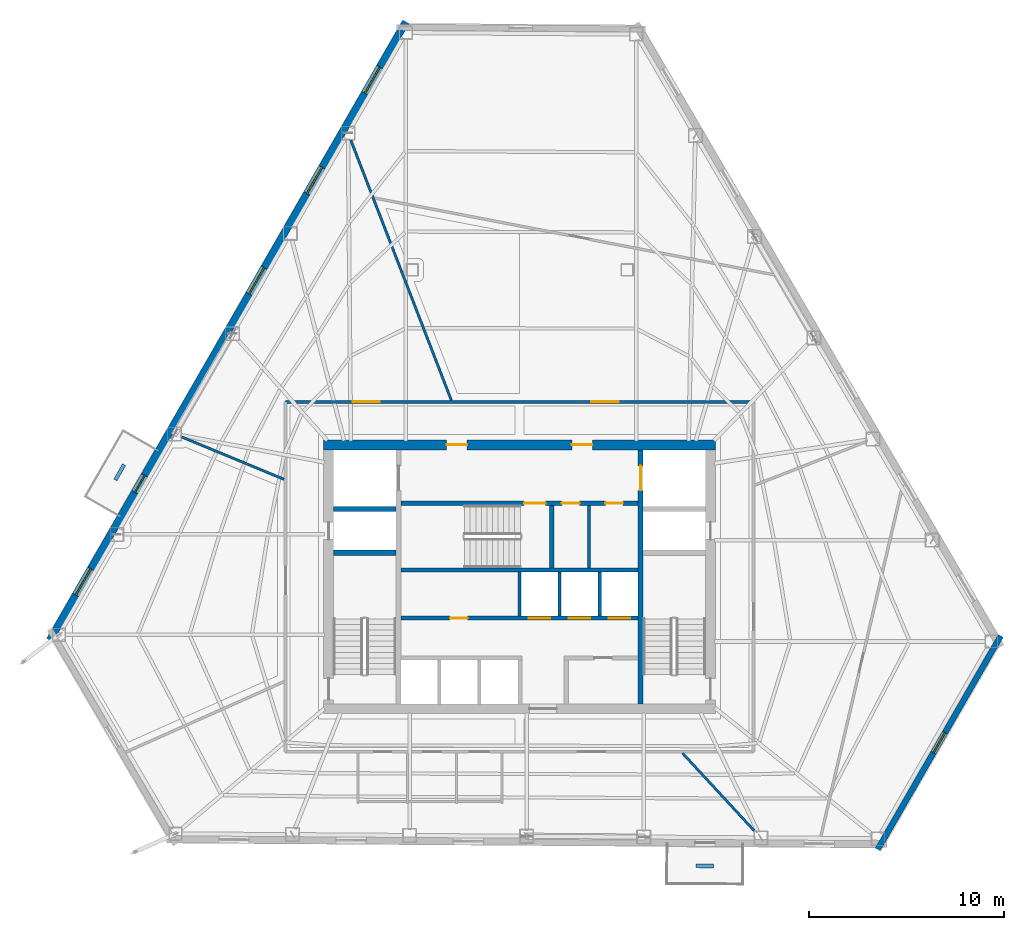
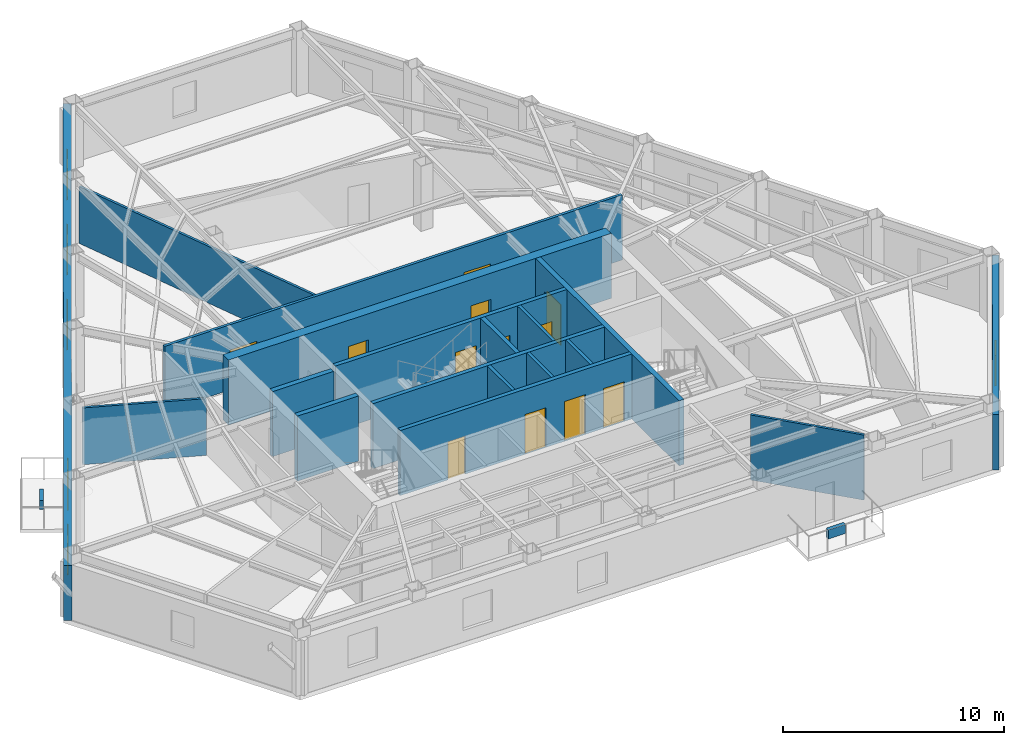
# One storey, part 9 of 12: 20 walls, 13 doors, 5 windows, 18 openings.
"""IFC4 building model written with IfcOpenShell, lengths in metres."""

from ifc_helpers import new_model, si_unit, direction, frame, frame_2d, origin, place, context, subcontext, project, spatial, rectangle, extrude, material, layer, layer_set, type_object, element, fill, save


model = new_model("IFC4")

# Units and contexts
model_context = context("Model", 3, precision=1e-05, world=origin(), true_north=direction((0.0, 1.0)))
body_context = subcontext(model_context, "Body", "Model", "MODEL_VIEW")
ifc_project = project(units=[si_unit("LENGTHUNIT", "METRE"), si_unit("AREAUNIT", "SQUARE_METRE"), si_unit("VOLUMEUNIT", "CUBIC_METRE"), si_unit("PLANEANGLEUNIT", "RADIAN"), si_unit("MASSUNIT", "GRAM", prefix="KILO")], contexts=[model_context])

# Site, building, storey
site_placement = place(None, origin())
site = spatial("IfcSite", under=ifc_project, at=site_placement, CompositionType="ELEMENT")
building_placement = place(site_placement, origin())
building = spatial("IfcBuilding", under=site, at=building_placement, Name="Kavelnor Concourse Tower", CompositionType="ELEMENT")
storey_placement = place(building_placement, frame((0.0, 0.0, 120.14990234375)))
storey = spatial("IfcBuildingStorey", under=building, at=storey_placement, Name="L30", CompositionType="ELEMENT", Elevation=120.14990234375)

# Wall, openings, doors
ifc_material_1 = material(Name="Concrete C60/75", Category="concrete")
ifc_layer_1 = layer(ifc_material_1, 0.5, Name="Concrete C60/75")
ifc_layer_set_1 = layer_set([ifc_layer_1], Name="Concrete C60/75")
wall_type_1 = type_object("IfcWallType", Name="WL-CORE-Z2-500", PredefinedType="SOLIDWALL", material=ifc_layer_set_1)
wall_1_placement = place(storey_placement, frame((27.97998046875, 22.85009765625, 0.0), z_axis=(0.0, 0.0, 1.0), x_axis=(1.0, 0.0, 0.0)))
wall_1 = element("IfcWall", 1, at=wall_1_placement, inside=storey, type_object=wall_type_1, Name="L30 Central Core North Shear Wall", PredefinedType="SOLIDWALL", context=body_context, shape_type="SweptSolid", body=[
    extrude(rectangle(XDim=20.0400390625, YDim=0.5, at=frame_2d((10.02001953125, 0.0))), origin(), (0.0, 0.0, 1.0), 3.60009765625),
])
opening_1_placement = place(wall_1_placement, frame((6.294921875, 0.0, 0.0)))
opening_1 = element("IfcOpeningElement", 2, at=opening_1_placement, cuts=wall_1, Name="Opening FD-105", PredefinedType="OPENING", context=body_context, shape_type="SweptSolid", body=[
    extrude(rectangle(XDim=1.050048828125, YDim=2.14990234375, at=frame_2d((0.52490234375, 1.074951171875))), frame((0.0, 0.260009765625, 0.0), z_axis=(0.0, -1.0, 0.0), x_axis=(1.0, 0.0, 0.0)), (0.0, 0.0, 1.0), 0.52001953125),
])
opening_2_placement = place(wall_1_placement, frame((12.695068359375, 0.0, 0.0)))
opening_2 = element("IfcOpeningElement", 3, at=opening_2_placement, cuts=wall_1, Name="Opening FD-105", PredefinedType="OPENING", context=body_context, shape_type="SweptSolid", body=[
    extrude(rectangle(XDim=1.050048828125, YDim=2.14990234375, at=frame_2d((0.52490234375, 1.074951171875))), frame((0.0, 0.260009765625, 0.0), z_axis=(0.0, -1.0, 0.0), x_axis=(1.0, 0.0, 0.0)), (0.0, 0.0, 1.0), 0.52001953125),
])
ifc_material_2 = material(Name="Steel Grade 350", Category="steel")
door_type_1 = type_object("IfcDoorType", Name="DR-LOBBY-FIRE-1050", OperationType="NOTDEFINED", PredefinedType="DOOR", material=ifc_material_2)
door_1_placement = place(opening_1_placement, origin())
door_1 = element("IfcDoor", 4, at=door_1_placement, inside=storey, type_object=door_type_1, Name="L30 Emergency Lift Lobby West Door", OperationType="SINGLE_SWING_LEFT", OverallHeight=2.14990234375, OverallWidth=1.050048828125, PredefinedType="DOOR", context=body_context, shape_type="SweptSolid", body=[
    extrude(rectangle(XDim=1.050048828125, YDim=2.14990234375, at=frame_2d((0.52490234375, 1.074951171875))), frame((0.0, 0.02490234375, 0.0), z_axis=(0.0, -1.0, 0.0), x_axis=(1.0, 0.0, 0.0)), (0.0, 0.0, 1.0), 0.050048828125),
])
fill(opening_1, door_1)
door_2_placement = place(opening_2_placement, origin())
door_2 = element("IfcDoor", 5, at=door_2_placement, inside=storey, type_object=door_type_1, Name="L30 Emergency Lift Lobby East Door", OperationType="SINGLE_SWING_RIGHT", OverallHeight=2.14990234375, OverallWidth=1.050048828125, PredefinedType="DOOR", context=body_context, shape_type="SweptSolid", body=[
    extrude(rectangle(XDim=1.050048828125, YDim=2.14990234375, at=frame_2d((0.52490234375, 1.074951171875))), frame((0.0, 0.02490234375, 0.0), z_axis=(0.0, -1.0, 0.0), x_axis=(1.0, 0.0, 0.0)), (0.0, 0.0, 1.0), 0.050048828125),
])
fill(opening_2, door_2)

# Wall, opening, window
ifc_material_3 = material(Name="Buff ironspot clay face brick masonry", Category="masonry")
ifc_layer_2 = layer(ifc_material_3, 0.300048828125, Name="Buff ironspot clay face brick masonry")
ifc_layer_set_2 = layer_set([ifc_layer_2], Name="Buff ironspot clay face brick masonry")
wall_type_2 = type_object("IfcWallType", Name="WL-EXT-BUFF-BRICK-FOLD-300", PredefinedType="STANDARD", material=ifc_layer_set_2)
wall_2_placement = place(storey_placement, frame((62.62109375, 13.075439453125, 0.0), z_axis=(0.0, 0.0, 1.0), x_axis=(-0.499135001454, -0.866524235278, 0.0)))
wall_2 = element("IfcWall", 6, at=wall_2_placement, inside=storey, type_object=wall_type_2, Name="L30 Exterior Brick Facade Wall E4", PredefinedType="STANDARD", context=body_context, shape_type="SweptSolid", body=[
    extrude(rectangle(XDim=12.606689453125, YDim=0.300048828125, at=frame_2d((6.30322265625, 0.0))), origin(), (0.0, 0.0, 1.0), 3.05908203125),
])
opening_3_placement = place(wall_2_placement, frame((5.70361328125, 0.0, 0.64990234375)))
opening_3 = element("IfcOpeningElement", 7, at=opening_3_placement, cuts=wall_2, Name="Opening W-05", PredefinedType="OPENING", context=body_context, shape_type="SweptSolid", body=[
    extrude(rectangle(XDim=1.199951171875, YDim=1.699951171875, at=frame_2d((0.60009765625, 0.85009765625))), frame((0.0, 0.16015625, 0.0), z_axis=(0.0, -1.0, 0.0), x_axis=(1.0, 0.0, 0.0)), (0.0, 0.0, 1.0), 0.320068359375),
])
ifc_material_4 = material(Name="Double low-E argon insulated glazing", Category="glass")
window_type_1 = type_object("IfcWindowType", Name="WIN-FOLD-1200", PartitioningType="SINGLE_PANEL", PredefinedType="WINDOW", material=ifc_material_4)
window_1_placement = place(opening_3_placement, origin())
window_1 = element("IfcWindow", 8, at=window_1_placement, inside=storey, type_object=window_type_1, Name="L30 Chamfer-Fold Facet Window C2", OverallHeight=1.699951171875, OverallWidth=1.199951171875, PartitioningType="SINGLE_PANEL", PredefinedType="WINDOW", context=body_context, shape_type="SweptSolid", body=[
    extrude(rectangle(XDim=1.199951171875, YDim=1.699951171875, at=frame_2d((0.60009765625, 0.85009765625))), frame((0.0, 0.030029296875, 0.0), z_axis=(0.0, -1.0, 0.0), x_axis=(1.0, 0.0, 0.0)), (0.0, 0.0, 1.0), 0.06005859375),
])
fill(opening_3, window_1)

# Wall, openings, door, windows
ifc_material_5 = material(Name="Red-ochre clay face brick masonry", Category="masonry")
ifc_layer_3 = layer(ifc_material_5, 0.3798828125, Name="Red-ochre clay face brick masonry")
ifc_layer_set_3 = layer_set([ifc_layer_3], Name="Red-ochre clay face brick masonry")
wall_type_3 = type_object("IfcWallType", Name="WL-EXT-RED-BRICK-PIER-380", PredefinedType="STANDARD", material=ifc_layer_set_3)
wall_3_placement = place(storey_placement, frame((13.965576171875, 12.85791015625, 0.0), z_axis=(0.0, 0.0, 1.0), x_axis=(0.499138995893, 0.86652193439, 0.0)))
wall_3 = element("IfcWall", 9, at=wall_3_placement, inside=storey, type_object=wall_type_3, Name="L30 Exterior Brick Facade Wall E1", PredefinedType="STANDARD", context=body_context, shape_type="SweptSolid", body=[
    extrude(rectangle(XDim=36.50927734375, YDim=0.3798828125, at=frame_2d((18.254638671875, 0.0))), origin(), (0.0, 0.0, 1.0), 3.05908203125),
])
opening_4_placement = place(wall_3_placement, frame((8.727294921875, 0.0, 0.0)))
opening_4 = element("IfcOpeningElement", 10, at=opening_4_placement, cuts=wall_3, Name="Opening BD-100", PredefinedType="OPENING", context=body_context, shape_type="SweptSolid", body=[
    extrude(rectangle(XDim=1.0, YDim=2.199951171875, at=frame_2d((0.5, 1.10009765625))), frame((0.0, 0.199951171875, 0.0), z_axis=(0.0, -1.0, 0.0), x_axis=(1.0, 0.0, 0.0)), (0.0, 0.0, 1.0), 0.39990234375),
])
opening_5_placement = place(wall_3_placement, frame((32.2919921875, 0.0, 0.64990234375)))
opening_5 = element("IfcOpeningElement", 11, at=opening_5_placement, cuts=wall_3, Name="Opening W-02", PredefinedType="OPENING", context=body_context, shape_type="SweptSolid", body=[
    extrude(rectangle(XDim=1.550048828125, YDim=1.75, at=frame_2d((0.77490234375, 0.875))), frame((0.0, 0.199951171875, 0.0), z_axis=(0.0, -1.0, 0.0), x_axis=(1.0, 0.0, 0.0)), (0.0, 0.0, 1.0), 0.39990234375),
])
opening_6_placement = place(wall_3_placement, frame((26.36669921875, 0.0, 0.64990234375)))
opening_6 = element("IfcOpeningElement", 12, at=opening_6_placement, cuts=wall_3, Name="Opening W-02", PredefinedType="OPENING", context=body_context, shape_type="SweptSolid", body=[
    extrude(rectangle(XDim=1.550048828125, YDim=1.75, at=frame_2d((0.77490234375, 0.875))), frame((0.0, 0.199951171875, 0.0), z_axis=(0.0, -1.0, 0.0), x_axis=(1.0, 0.0, 0.0)), (0.0, 0.0, 1.0), 0.39990234375),
])
opening_7_placement = place(wall_3_placement, frame((20.441650390625, 0.0, 0.64990234375)))
opening_7 = element("IfcOpeningElement", 13, at=opening_7_placement, cuts=wall_3, Name="Opening W-02", PredefinedType="OPENING", context=body_context, shape_type="SweptSolid", body=[
    extrude(rectangle(XDim=1.550048828125, YDim=1.75, at=frame_2d((0.77490234375, 0.875))), frame((0.0, 0.199951171875, 0.0), z_axis=(0.0, -1.0, 0.0), x_axis=(1.0, 0.0, 0.0)), (0.0, 0.0, 1.0), 0.39990234375),
])
opening_8_placement = place(wall_3_placement, frame((2.666259765625, 0.0, 0.64990234375)))
opening_8 = element("IfcOpeningElement", 14, at=opening_8_placement, cuts=wall_3, Name="Opening W-02", PredefinedType="OPENING", context=body_context, shape_type="SweptSolid", body=[
    extrude(rectangle(XDim=1.550048828125, YDim=1.75, at=frame_2d((0.77490234375, 0.875))), frame((0.0, 0.199951171875, 0.0), z_axis=(0.0, -1.0, 0.0), x_axis=(1.0, 0.0, 0.0)), (0.0, 0.0, 1.0), 0.39990234375),
])
ifc_material_6 = material(Name="Anodised aluminium 6063-T6", Category="aluminium")
door_type_2 = type_object("IfcDoorType", Name="DR-BALCONY-EXT-1000", OperationType="NOTDEFINED", PredefinedType="DOOR", material=ifc_material_6)
door_3_placement = place(opening_4_placement, origin())
door_3 = element("IfcDoor", 15, at=door_3_placement, inside=storey, type_object=door_type_2, Name="L30 Tree Balcony 1 Glazed Door", OperationType="SINGLE_SWING_LEFT", OverallHeight=2.199951171875, OverallWidth=1.0, PredefinedType="DOOR", context=body_context, shape_type="SweptSolid", body=[
    extrude(rectangle(XDim=1.0, YDim=2.199951171875, at=frame_2d((0.5, 1.10009765625))), frame((0.0, 0.02490234375, 0.0), z_axis=(0.0, -1.0, 0.0), x_axis=(1.0, 0.0, 0.0)), (0.0, 0.0, 1.0), 0.050048828125),
])
fill(opening_4, door_3)
window_type_2 = type_object("IfcWindowType", Name="WIN-PIER-Z2-1650", PartitioningType="SINGLE_PANEL", PredefinedType="WINDOW", material=ifc_material_4)
window_2_placement = place(opening_5_placement, origin())
window_2 = element("IfcWindow", 16, at=window_2_placement, inside=storey, type_object=window_type_2, Name="L30 Deep-Set Brick Pier Window F0-B0", OverallHeight=1.75, OverallWidth=1.550048828125, PartitioningType="SINGLE_PANEL", PredefinedType="WINDOW", context=body_context, shape_type="SweptSolid", body=[
    extrude(rectangle(XDim=1.550048828125, YDim=1.75, at=frame_2d((0.77490234375, 0.875))), frame((0.0, 0.030029296875, 0.0), z_axis=(0.0, -1.0, 0.0), x_axis=(1.0, 0.0, 0.0)), (0.0, 0.0, 1.0), 0.06005859375),
])
fill(opening_5, window_2)
window_3_placement = place(opening_6_placement, origin())
window_3 = element("IfcWindow", 17, at=window_3_placement, inside=storey, type_object=window_type_2, Name="L30 Deep-Set Brick Pier Window F0-B1", OverallHeight=1.75, OverallWidth=1.550048828125, PartitioningType="SINGLE_PANEL", PredefinedType="WINDOW", context=body_context, shape_type="SweptSolid", body=[
    extrude(rectangle(XDim=1.550048828125, YDim=1.75, at=frame_2d((0.77490234375, 0.875))), frame((0.0, 0.030029296875, 0.0), z_axis=(0.0, -1.0, 0.0), x_axis=(1.0, 0.0, 0.0)), (0.0, 0.0, 1.0), 0.06005859375),
])
fill(opening_6, window_3)
window_4_placement = place(opening_7_placement, origin())
window_4 = element("IfcWindow", 18, at=window_4_placement, inside=storey, type_object=window_type_2, Name="L30 Deep-Set Brick Pier Window F0-B2", OverallHeight=1.75, OverallWidth=1.550048828125, PartitioningType="SINGLE_PANEL", PredefinedType="WINDOW", context=body_context, shape_type="SweptSolid", body=[
    extrude(rectangle(XDim=1.550048828125, YDim=1.75, at=frame_2d((0.77490234375, 0.875))), frame((0.0, 0.030029296875, 0.0), z_axis=(0.0, -1.0, 0.0), x_axis=(1.0, 0.0, 0.0)), (0.0, 0.0, 1.0), 0.06005859375),
])
fill(opening_7, window_4)
window_5_placement = place(opening_8_placement, origin())
window_5 = element("IfcWindow", 19, at=window_5_placement, inside=storey, type_object=window_type_2, Name="L30 Deep-Set Brick Pier Window F0-B5", OverallHeight=1.75, OverallWidth=1.550048828125, PartitioningType="SINGLE_PANEL", PredefinedType="WINDOW", context=body_context, shape_type="SweptSolid", body=[
    extrude(rectangle(XDim=1.550048828125, YDim=1.75, at=frame_2d((0.77490234375, 0.875))), frame((0.0, 0.030029296875, 0.0), z_axis=(0.0, -1.0, 0.0), x_axis=(1.0, 0.0, 0.0)), (0.0, 0.0, 1.0), 0.06005859375),
])
fill(opening_8, window_5)

# Wall, openings, doors
ifc_material_7 = material(Name="Gypsum plasterboard on light-gauge steel studs", Category="steel")
ifc_layer_4 = layer(ifc_material_7, 0.14501953125, Name="Gypsum plasterboard on light-gauge steel studs")
ifc_layer_set_4 = layer_set([ifc_layer_4], Name="Gypsum plasterboard on light-gauge steel studs")
wall_type_4 = type_object("IfcWallType", Name="WL-INT-CORR-145", PredefinedType="PARTITIONING", material=ifc_layer_set_4)
wall_4_placement = place(storey_placement, frame((49.969970703125, 25.050048828125, 0.0), z_axis=(0.0, 0.0, 1.0), x_axis=(-1.0, 0.0, 0.0)))
wall_4 = element("IfcWall", 20, at=wall_4_placement, inside=storey, type_object=wall_type_4, Name="L30 Corridor Wall WL-L30-CR-02", PredefinedType="PARTITIONING", context=body_context, shape_type="SweptSolid", body=[
    extrude(rectangle(XDim=23.93994140625, YDim=0.14501953125, at=frame_2d((11.969970703125, 0.0))), origin(), (0.0, 0.0, 1.0), 3.60009765625),
])
opening_9_placement = place(wall_4_placement, frame((6.893310546875, 0.0, 0.0)))
opening_9 = element("IfcOpeningElement", 21, at=opening_9_placement, cuts=wall_4, Name="Opening SD-140", PredefinedType="OPENING", context=body_context, shape_type="SweptSolid", body=[
    extrude(rectangle(XDim=1.39990234375, YDim=2.199951171875, at=frame_2d((0.699951171875, 1.10009765625))), frame((0.0, 0.08251953125, 0.0), z_axis=(0.0, -1.0, 0.0), x_axis=(1.0, 0.0, 0.0)), (0.0, 0.0, 1.0), 0.1650390625),
])
opening_10_placement = place(wall_4_placement, frame((19.114013671875, 0.0, 0.0)))
opening_10 = element("IfcOpeningElement", 22, at=opening_10_placement, cuts=wall_4, Name="Opening SD-140", PredefinedType="OPENING", context=body_context, shape_type="SweptSolid", body=[
    extrude(rectangle(XDim=1.39990234375, YDim=2.199951171875, at=frame_2d((0.699951171875, 1.10009765625))), frame((0.0, 0.08251953125, 0.0), z_axis=(0.0, -1.0, 0.0), x_axis=(1.0, 0.0, 0.0)), (0.0, 0.0, 1.0), 0.1650390625),
])
ifc_material_8 = material(Name="Solid-core hardwood timber", Category="wood")
door_type_3 = type_object("IfcDoorType", Name="DR-SUITE-ENTRY-1400", OperationType="NOTDEFINED", PredefinedType="DOOR", material=ifc_material_8)
door_4_placement = place(opening_9_placement, origin())
door_4 = element("IfcDoor", 23, at=door_4_placement, inside=storey, type_object=door_type_3, Name="L30 Staff Breakout Pantry 01 Door", OperationType="SINGLE_SWING_RIGHT", OverallHeight=2.199951171875, OverallWidth=1.39990234375, PredefinedType="DOOR", context=body_context, shape_type="SweptSolid", body=[
    extrude(rectangle(XDim=1.39990234375, YDim=2.199951171875, at=frame_2d((0.699951171875, 1.10009765625))), frame((0.0, 0.02490234375, 0.0), z_axis=(0.0, -1.0, 0.0), x_axis=(1.0, 0.0, 0.0)), (0.0, 0.0, 1.0), 0.050048828125),
])
fill(opening_9, door_4)
door_5_placement = place(opening_10_placement, origin())
door_5 = element("IfcDoor", 24, at=door_5_placement, inside=storey, type_object=door_type_3, Name="L30 Technical Reference Library 03 Door", OperationType="SINGLE_SWING_RIGHT", OverallHeight=2.199951171875, OverallWidth=1.39990234375, PredefinedType="DOOR", context=body_context, shape_type="SweptSolid", body=[
    extrude(rectangle(XDim=1.39990234375, YDim=2.199951171875, at=frame_2d((0.699951171875, 1.10009765625))), frame((0.0, 0.02490234375, 0.0), z_axis=(0.0, -1.0, 0.0), x_axis=(1.0, 0.0, 0.0)), (0.0, 0.0, 1.0), 0.050048828125),
])
fill(opening_10, door_5)

# Walls
ifc_layer_5 = layer(ifc_material_7, 0.1650390625, Name="Gypsum plasterboard on light-gauge steel studs")
ifc_layer_set_5 = layer_set([ifc_layer_5], Name="Gypsum plasterboard on light-gauge steel studs")
wall_type_5 = type_object("IfcWallType", Name="WL-INT-FIRE-165", PredefinedType="PARTITIONING", material=ifc_layer_set_5)
for number, where, z_axis, x_axis, name in (
    (25, (38.0, 14.10009765625, 0.0), (0.0, 0.0, 1.0), (0.0, 1.0, 0.0), "L30 Reclaimed Core Zone Partition"),
    (26, (40.050048828125, 14.10009765625, 0.0), (0.0, 0.0, 1.0), (0.0, 1.0, 0.0), "L30 Lift Shaft Divider LP4"),
    (27, (42.10009765625, 14.10009765625, 0.0), (0.0, 0.0, 1.0), (0.0, 1.0, 0.0), "L30 Lift Shaft Divider LP5"),
):
    element("IfcWall", number, at=place(storey_placement, frame(where, z_axis=z_axis, x_axis=x_axis)), inside=storey, type_object=wall_type_5, Name=name, PredefinedType="PARTITIONING", context=body_context, shape_type="SweptSolid", body=[
        extrude(rectangle(XDim=2.239990234375, YDim=0.1650390625, at=frame_2d((1.1201171875, 0.0))), origin(), (0.0, 0.0, 1.0), 3.60009765625),
    ])
wall_5_placement = place(storey_placement, frame((41.550048828125, 16.56005859375, 0.0), z_axis=(0.0, 0.0, 1.0), x_axis=(0.0, 1.0, 0.0)))
element("IfcWall", 28, at=wall_5_placement, inside=storey, type_object=wall_type_5, Name="L30 Core North Support Divider", PredefinedType="PARTITIONING", context=body_context, shape_type="SweptSolid", body=[
    extrude(rectangle(XDim=3.199951171875, YDim=0.1650390625, at=frame_2d((1.60009765625, 0.0))), origin(), (0.0, 0.0, 1.0), 3.60009765625),
])
ifc_layer_6 = layer(ifc_material_7, 0.125, Name="Gypsum plasterboard on light-gauge steel studs")
ifc_layer_set_6 = layer_set([ifc_layer_6], Name="Gypsum plasterboard on light-gauge steel studs")
wall_type_6 = type_object("IfcWallType", Name="WL-INT-SUITE-125", PredefinedType="PARTITIONING", material=ifc_layer_set_6)
wall_6_placement = place(storey_placement, frame((34.510986328125, 25.130615234375, 0.0), z_axis=(0.0, 0.0, 1.0), x_axis=(-0.360420932728, 0.932789767982, 0.0)))
element("IfcWall", 29, at=wall_6_placement, inside=storey, type_object=wall_type_6, Name="L30 Radial Suite Partition 02", PredefinedType="PARTITIONING", context=body_context, shape_type="SweptSolid", body=[
    extrude(rectangle(XDim=14.26953125, YDim=0.125, at=frame_2d((7.134765625, 0.0))), origin(), (0.0, 0.0, 1.0), 3.14111328125),
])
wall_7_placement = place(storey_placement, frame((25.949462890625, 21.08935546875, 0.0), z_axis=(0.0, 0.0, 1.0), x_axis=(-0.923924819646, 0.382574081246, 0.0)))
element("IfcWall", 30, at=wall_7_placement, inside=storey, type_object=wall_type_6, Name="L30 Radial Suite Partition 03", PredefinedType="PARTITIONING", context=body_context, shape_type="SweptSolid", body=[
    extrude(rectangle(XDim=5.658447265625, YDim=0.125, at=frame_2d((2.8291015625, 0.0))), origin(), (0.0, 0.0, 1.0), 3.14111328125),
])
wall_8_placement = place(storey_placement, frame((46.3466796875, 7.069580078125, 0.0), z_axis=(0.0, 0.0, 1.0), x_axis=(0.678748401089, -0.734370892683, 0.0)))
element("IfcWall", 31, at=wall_8_placement, inside=storey, type_object=wall_type_6, Name="L30 Radial Suite Partition 05", PredefinedType="PARTITIONING", context=body_context, shape_type="SweptSolid", body=[
    extrude(rectangle(XDim=5.389892578125, YDim=0.125, at=frame_2d((2.69482421875, 0.0))), origin(), (0.0, 0.0, 1.0), 3.60009765625),
])
ifc_material_9 = material(Name="Architectural precast planter concrete C40/50", Category="concrete")
ifc_layer_7 = layer(ifc_material_9, 0.18994140625, Name="Architectural precast planter concrete C40/50")
ifc_layer_set_7 = layer_set([ifc_layer_7], Name="Architectural precast planter concrete C40/50")
wall_type_7 = type_object("IfcWallType", Name="WL-PLANTER-KERB-190", PredefinedType="USERDEFINED", material=ifc_layer_set_7)
wall_9_placement = place(storey_placement, frame((17.76904296875, 21.8349609375, 0.0), z_axis=(0.0, 0.0, 1.0), x_axis=(-0.499174352876, -0.866501566895, 0.0)))
element("IfcWall", 32, at=wall_9_placement, inside=storey, type_object=wall_type_7, Name="L30 Tree Balcony 1 Tree Planter Kerb", ObjectType="PLANTER", PredefinedType="USERDEFINED", context=body_context, shape_type="SweptSolid", body=[
    extrude(rectangle(XDim=0.89990234375, YDim=0.18994140625, at=frame_2d((0.449951171875, 0.0))), origin(), (0.0, 0.0, 1.0), 0.5),
])
wall_10_placement = place(storey_placement, frame((47.031982421875, 1.311279296875, 0.0), z_axis=(0.0, 0.0, 1.0), x_axis=(0.99997513696, -0.007051628305, 0.0)))
element("IfcWall", 33, at=wall_10_placement, inside=storey, type_object=wall_type_7, Name="L30 Tree Balcony 2 Tree Planter Kerb", ObjectType="PLANTER", PredefinedType="USERDEFINED", context=body_context, shape_type="SweptSolid", body=[
    extrude(rectangle(XDim=0.900146484375, YDim=0.18994140625, at=frame_2d((0.4501953125, 0.0))), origin(), (0.0, 0.0, 1.0), 0.5),
])

# Wall, openings, doors
ifc_material_10 = material(Name="Concrete C50/60", Category="concrete")
ifc_layer_8 = layer(ifc_material_10, 0.219970703125, Name="Concrete C50/60")
ifc_layer_set_8 = layer_set([ifc_layer_8], Name="Concrete C50/60")
wall_type_8 = type_object("IfcWallType", Name="WL-SHAFT-220", PredefinedType="SOLIDWALL", material=ifc_layer_set_8)
wall_11_placement = place(storey_placement, frame((31.93994140625, 19.8701171875, 0.0), z_axis=(0.0, 0.0, 1.0), x_axis=(1.0, 0.0, 0.0)))
wall_11 = element("IfcWall", 34, at=wall_11_placement, inside=storey, type_object=wall_type_8, Name="L30 Emergency Lift Lobby South Wall", PredefinedType="SOLIDWALL", context=body_context, shape_type="SweptSolid", body=[
    extrude(rectangle(XDim=12.1201171875, YDim=0.219970703125, at=frame_2d((6.06005859375, 0.0))), origin(), (0.0, 0.0, 1.0), 3.60009765625),
])
opening_11_placement = place(wall_11_placement, frame((6.300048828125, 0.0, 0.0)))
opening_11 = element("IfcOpeningElement", 35, at=opening_11_placement, cuts=wall_11, Name="Opening FD-110", PredefinedType="OPENING", context=body_context, shape_type="SweptSolid", body=[
    extrude(rectangle(XDim=1.10009765625, YDim=2.14990234375, at=frame_2d((0.550048828125, 1.074951171875))), frame((0.0, 0.1201171875, 0.0), z_axis=(0.0, -1.0, 0.0), x_axis=(1.0, 0.0, 0.0)), (0.0, 0.0, 1.0), 0.239990234375),
])
opening_12_placement = place(wall_11_placement, frame((8.22998046875, 0.0, 0.0)))
opening_12 = element("IfcOpeningElement", 36, at=opening_12_placement, cuts=wall_11, Name="Opening FD-090", PredefinedType="OPENING", context=body_context, shape_type="SweptSolid", body=[
    extrude(rectangle(XDim=0.89990234375, YDim=2.10009765625, at=frame_2d((0.449951171875, 1.050048828125))), frame((0.0, 0.1201171875, 0.0), z_axis=(0.0, -1.0, 0.0), x_axis=(1.0, 0.0, 0.0)), (0.0, 0.0, 1.0), 0.239990234375),
])
opening_13_placement = place(wall_11_placement, frame((10.449951171875, 0.0, 0.0)))
opening_13 = element("IfcOpeningElement", 37, at=opening_13_placement, cuts=wall_11, Name="Opening FD-090", PredefinedType="OPENING", context=body_context, shape_type="SweptSolid", body=[
    extrude(rectangle(XDim=0.89990234375, YDim=2.10009765625, at=frame_2d((0.449951171875, 1.050048828125))), frame((0.0, 0.1201171875, 0.0), z_axis=(0.0, -1.0, 0.0), x_axis=(1.0, 0.0, 0.0)), (0.0, 0.0, 1.0), 0.239990234375),
])
door_type_4 = type_object("IfcDoorType", Name="DR-RISER-FIRE-900", OperationType="NOTDEFINED", PredefinedType="DOOR", material=ifc_material_2)
door_6_placement = place(opening_12_placement, origin())
door_6 = element("IfcDoor", 38, at=door_6_placement, inside=storey, type_object=door_type_4, Name="L30 Telecom Room Door", OperationType="SINGLE_SWING_LEFT", OverallHeight=2.10009765625, OverallWidth=0.89990234375, PredefinedType="DOOR", context=body_context, shape_type="SweptSolid", body=[
    extrude(rectangle(XDim=0.89990234375, YDim=2.10009765625, at=frame_2d((0.449951171875, 1.050048828125))), frame((0.0, 0.02490234375, 0.0), z_axis=(0.0, -1.0, 0.0), x_axis=(1.0, 0.0, 0.0)), (0.0, 0.0, 1.0), 0.050048828125),
])
fill(opening_12, door_6)
door_7_placement = place(opening_13_placement, origin())
door_7 = element("IfcDoor", 39, at=door_7_placement, inside=storey, type_object=door_type_4, Name="L30 Janitor Store Door", OperationType="SINGLE_SWING_RIGHT", OverallHeight=2.10009765625, OverallWidth=0.89990234375, PredefinedType="DOOR", context=body_context, shape_type="SweptSolid", body=[
    extrude(rectangle(XDim=0.89990234375, YDim=2.10009765625, at=frame_2d((0.449951171875, 1.050048828125))), frame((0.0, 0.02490234375, 0.0), z_axis=(0.0, -1.0, 0.0), x_axis=(1.0, 0.0, 0.0)), (0.0, 0.0, 1.0), 0.050048828125),
])
fill(opening_13, door_7)
door_type_5 = type_object("IfcDoorType", Name="DR-STAIR-FIRE-1100", OperationType="NOTDEFINED", PredefinedType="DOOR", material=ifc_material_2)
door_8_placement = place(opening_11_placement, origin())
door_8 = element("IfcDoor", 40, at=door_8_placement, inside=storey, type_object=door_type_5, Name="L30 Stair ST3 Fire Door", OperationType="SINGLE_SWING_LEFT", OverallHeight=2.14990234375, OverallWidth=1.10009765625, PredefinedType="DOOR", context=body_context, shape_type="SweptSolid", body=[
    extrude(rectangle(XDim=1.10009765625, YDim=2.14990234375, at=frame_2d((0.550048828125, 1.074951171875))), frame((0.0, 0.02490234375, 0.0), z_axis=(0.0, -1.0, 0.0), x_axis=(1.0, 0.0, 0.0)), (0.0, 0.0, 1.0), 0.050048828125),
])
fill(opening_11, door_8)

# Walls
wall_12_placement = place(storey_placement, frame((31.93994140625, 16.449951171875, 0.0), z_axis=(0.0, 0.0, 1.0), x_axis=(1.0, 0.0, 0.0)))
element("IfcWall", 41, at=wall_12_placement, inside=storey, type_object=wall_type_8, Name="L30 Stair ST3 South Core Wall", PredefinedType="SOLIDWALL", context=body_context, shape_type="SweptSolid", body=[
    extrude(rectangle(XDim=12.1201171875, YDim=0.219970703125, at=frame_2d((6.06005859375, 0.0))), origin(), (0.0, 0.0, 1.0), 3.60009765625),
])
wall_13_placement = place(storey_placement, frame((39.64990234375, 16.56005859375, 0.0), z_axis=(0.0, 0.0, 1.0), x_axis=(0.0, 1.0, 0.0)))
element("IfcWall", 42, at=wall_13_placement, inside=storey, type_object=wall_type_8, Name="L30 Stair ST3 East Core Wall", PredefinedType="SOLIDWALL", context=body_context, shape_type="SweptSolid", body=[
    extrude(rectangle(XDim=3.199951171875, YDim=0.219970703125, at=frame_2d((1.60009765625, 0.0))), origin(), (0.0, 0.0, 1.0), 3.60009765625),
])

# Wall, openings, doors
wall_14_placement = place(storey_placement, frame((31.93994140625, 13.989990234375, 0.0), z_axis=(0.0, 0.0, 1.0), x_axis=(1.0, 0.0, 0.0)))
wall_14 = element("IfcWall", 43, at=wall_14_placement, inside=storey, type_object=wall_type_8, Name="L30 North Lift Row Shaft Wall", PredefinedType="SOLIDWALL", context=body_context, shape_type="SweptSolid", body=[
    extrude(rectangle(XDim=12.1201171875, YDim=0.219970703125, at=frame_2d((6.06005859375, 0.0))), origin(), (0.0, 0.0, 1.0), 3.60009765625),
])
opening_14_placement = place(wall_14_placement, frame((2.510009765625, 0.0, 0.0)))
opening_14 = element("IfcOpeningElement", 44, at=opening_14_placement, cuts=wall_14, Name="Opening FD-090", PredefinedType="OPENING", context=body_context, shape_type="SweptSolid", body=[
    extrude(rectangle(XDim=0.89990234375, YDim=2.10009765625, at=frame_2d((0.449951171875, 1.050048828125))), frame((0.0, 0.1201171875, 0.0), z_axis=(0.0, -1.0, 0.0), x_axis=(1.0, 0.0, 0.0)), (0.0, 0.0, 1.0), 0.239990234375),
])
opening_15_placement = place(wall_14_placement, frame((6.534912109375, 0.0, 0.0)))
opening_15 = element("IfcOpeningElement", 45, at=opening_15_placement, cuts=wall_14, Name="Opening LD-110", PredefinedType="OPENING", context=body_context, shape_type="SweptSolid", body=[
    extrude(rectangle(XDim=1.10009765625, YDim=2.199951171875, at=frame_2d((0.550048828125, 1.10009765625))), frame((0.0, 0.1201171875, 0.0), z_axis=(0.0, -1.0, 0.0), x_axis=(1.0, 0.0, 0.0)), (0.0, 0.0, 1.0), 0.239990234375),
])
opening_16_placement = place(wall_14_placement, frame((8.5849609375, 0.0, 0.0)))
opening_16 = element("IfcOpeningElement", 46, at=opening_16_placement, cuts=wall_14, Name="Opening LD-110", PredefinedType="OPENING", context=body_context, shape_type="SweptSolid", body=[
    extrude(rectangle(XDim=1.10009765625, YDim=2.199951171875, at=frame_2d((0.550048828125, 1.10009765625))), frame((0.0, 0.1201171875, 0.0), z_axis=(0.0, -1.0, 0.0), x_axis=(1.0, 0.0, 0.0)), (0.0, 0.0, 1.0), 0.239990234375),
])
opening_17_placement = place(wall_14_placement, frame((10.635009765625, 0.0, 0.0)))
opening_17 = element("IfcOpeningElement", 47, at=opening_17_placement, cuts=wall_14, Name="Opening LD-110", PredefinedType="OPENING", context=body_context, shape_type="SweptSolid", body=[
    extrude(rectangle(XDim=1.10009765625, YDim=2.199951171875, at=frame_2d((0.550048828125, 1.10009765625))), frame((0.0, 0.1201171875, 0.0), z_axis=(0.0, -1.0, 0.0), x_axis=(1.0, 0.0, 0.0)), (0.0, 0.0, 1.0), 0.239990234375),
])
door_type_6 = type_object("IfcDoorType", Name="DR-LIFT-SLIDING-1100", OperationType="NOTDEFINED", PredefinedType="DOOR", material=ifc_material_2)
door_9_placement = place(opening_15_placement, origin())
door_9 = element("IfcDoor", 48, at=door_9_placement, inside=storey, type_object=door_type_6, Name="L30 Lift LP4 Landing Door", OperationType="DOUBLE_DOOR_SLIDING", OverallHeight=2.199951171875, OverallWidth=1.10009765625, PredefinedType="DOOR", context=body_context, shape_type="SweptSolid", body=[
    extrude(rectangle(XDim=1.10009765625, YDim=2.199951171875, at=frame_2d((0.550048828125, 1.10009765625))), frame((0.0, 0.02490234375, 0.0), z_axis=(0.0, -1.0, 0.0), x_axis=(1.0, 0.0, 0.0)), (0.0, 0.0, 1.0), 0.050048828125),
])
fill(opening_15, door_9)
door_10_placement = place(opening_16_placement, origin())
door_10 = element("IfcDoor", 49, at=door_10_placement, inside=storey, type_object=door_type_6, Name="L30 Lift LP5 Landing Door", OperationType="DOUBLE_DOOR_SLIDING", OverallHeight=2.199951171875, OverallWidth=1.10009765625, PredefinedType="DOOR", context=body_context, shape_type="SweptSolid", body=[
    extrude(rectangle(XDim=1.10009765625, YDim=2.199951171875, at=frame_2d((0.550048828125, 1.10009765625))), frame((0.0, 0.02490234375, 0.0), z_axis=(0.0, -1.0, 0.0), x_axis=(1.0, 0.0, 0.0)), (0.0, 0.0, 1.0), 0.050048828125),
])
fill(opening_16, door_10)
door_11_placement = place(opening_17_placement, origin())
door_11 = element("IfcDoor", 50, at=door_11_placement, inside=storey, type_object=door_type_6, Name="L30 Lift LP6 Landing Door", OperationType="DOUBLE_DOOR_SLIDING", OverallHeight=2.199951171875, OverallWidth=1.10009765625, PredefinedType="DOOR", context=body_context, shape_type="SweptSolid", body=[
    extrude(rectangle(XDim=1.10009765625, YDim=2.199951171875, at=frame_2d((0.550048828125, 1.10009765625))), frame((0.0, 0.02490234375, 0.0), z_axis=(0.0, -1.0, 0.0), x_axis=(1.0, 0.0, 0.0)), (0.0, 0.0, 1.0), 0.050048828125),
])
fill(opening_17, door_11)
door_12_placement = place(opening_14_placement, origin())
door_12 = element("IfcDoor", 51, at=door_12_placement, inside=storey, type_object=door_type_4, Name="L30 Core IT Room Door", OperationType="SINGLE_SWING_LEFT", OverallHeight=2.10009765625, OverallWidth=0.89990234375, PredefinedType="DOOR", context=body_context, shape_type="SweptSolid", body=[
    extrude(rectangle(XDim=0.89990234375, YDim=2.10009765625, at=frame_2d((0.449951171875, 1.050048828125))), frame((0.0, 0.02490234375, 0.0), z_axis=(0.0, -1.0, 0.0), x_axis=(1.0, 0.0, 0.0)), (0.0, 0.0, 1.0), 0.050048828125),
])
fill(opening_14, door_12)

# Wall, opening, door
ifc_layer_9 = layer(ifc_material_10, 0.260009765625, Name="Concrete C50/60")
ifc_layer_set_9 = layer_set([ifc_layer_9], Name="Concrete C50/60")
wall_type_9 = type_object("IfcWallType", Name="WL-SHAFT-260", PredefinedType="SHEAR", material=ifc_layer_set_9)
wall_15_placement = place(storey_placement, frame((44.18994140625, 9.60009765625, 0.0), z_axis=(0.0, 0.0, 1.0), x_axis=(0.0, 1.0, 0.0)))
wall_15 = element("IfcWall", 52, at=wall_15_placement, inside=storey, type_object=wall_type_9, Name="L30 Core East Wing Shear Wall", PredefinedType="SHEAR", context=body_context, shape_type="SweptSolid", body=[
    extrude(rectangle(XDim=13.0, YDim=0.260009765625, at=frame_2d((6.5, 0.0))), origin(), (0.0, 0.0, 1.0), 3.60009765625),
])
opening_18_placement = place(wall_15_placement, frame((10.925048828125, 0.0, 0.0)))
opening_18 = element("IfcOpeningElement", 53, at=opening_18_placement, cuts=wall_15, Name="Opening LD-125", PredefinedType="OPENING", context=body_context, shape_type="SweptSolid", body=[
    extrude(rectangle(XDim=1.25, YDim=2.25, at=frame_2d((0.625, 1.125))), frame((0.0, 0.14013671875, 0.0), z_axis=(0.0, -1.0, 0.0), x_axis=(1.0, 0.0, 0.0)), (0.0, 0.0, 1.0), 0.280029296875),
])
door_type_7 = type_object("IfcDoorType", Name="DR-LIFT-SLIDING-1250", OperationType="NOTDEFINED", PredefinedType="DOOR", material=ifc_material_2)
door_13_placement = place(opening_18_placement, origin())
door_13 = element("IfcDoor", 54, at=door_13_placement, inside=storey, type_object=door_type_7, Name="L30 Emergency Lift FL2 Landing Door", OperationType="DOUBLE_DOOR_SLIDING", OverallHeight=2.25, OverallWidth=1.25, PredefinedType="DOOR", context=body_context, shape_type="SweptSolid", body=[
    extrude(rectangle(XDim=1.25, YDim=2.25, at=frame_2d((0.625, 1.125))), frame((0.0, 0.02490234375, 0.0), z_axis=(0.0, -1.0, 0.0), x_axis=(1.0, 0.0, 0.0)), (0.0, 0.0, 1.0), 0.050048828125),
])
fill(opening_18, door_13)

# Walls
for number, where, z_axis, x_axis, name in (
    (55, (28.47998046875, 17.330078125, 0.0), (0.0, 0.0, 1.0), (1.0, 0.0, 0.0), "L30 Stair ST1 North Shaft Wall"),
    (56, (28.47998046875, 19.570068359375, 0.0), (0.0, 0.0, 1.0), (1.0, 0.0, 0.0), "L30 Emergency Lift FL1 South Shaft Wall"),
):
    element("IfcWall", number, at=place(storey_placement, frame(where, z_axis=z_axis, x_axis=x_axis)), inside=storey, type_object=wall_type_9, Name=name, PredefinedType="SHEAR", context=body_context, shape_type="SweptSolid", body=[
        extrude(rectangle(XDim=3.199951171875, YDim=0.260009765625, at=frame_2d((1.60009765625, 0.0))), origin(), (0.0, 0.0, 1.0), 3.60009765625),
    ])

save(model, "model.ifc")
